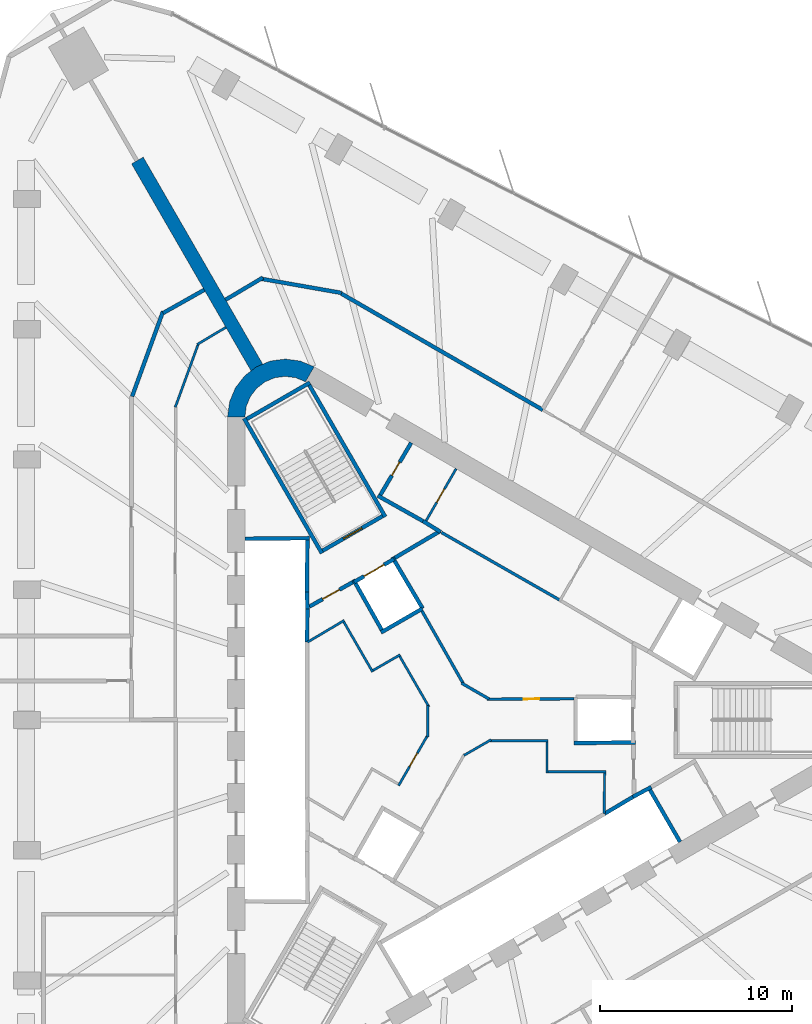
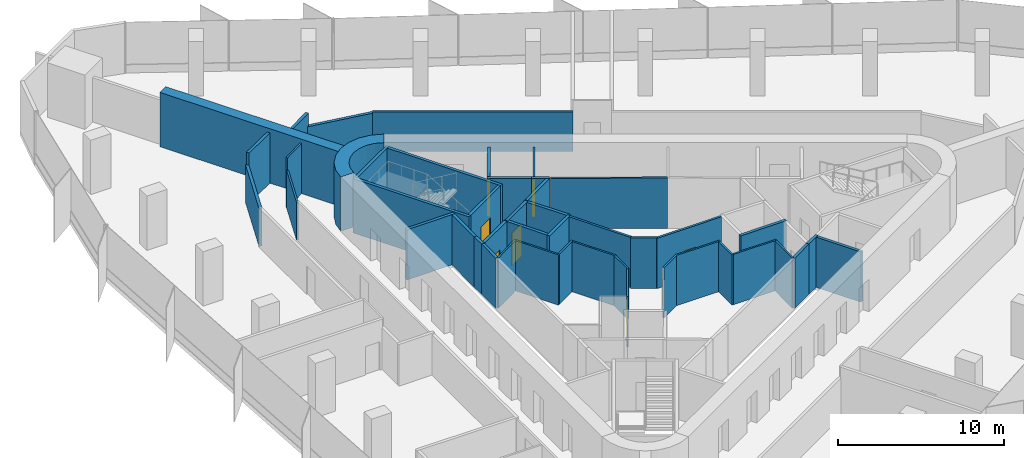
# One storey, part 10 of 13: 46 walls, 7 doors, 7 openings.
"""IFC4 building model written with IfcOpenShell, lengths in metres."""

from ifc_helpers import new_model, si_unit, direction, frame, frame_2d, origin, place, context, subcontext, project, spatial, polyline, rectangle, outline, extrude, material, layer, layer_set, type_object, element, fill, save


model = new_model("IFC4")

# Units and contexts
model_context = context("Model", 3, precision=1e-05, world=origin(), true_north=direction((0.0, 1.0)))
body_context = subcontext(model_context, "Body", "Model", "MODEL_VIEW")
ifc_project = project(units=[si_unit("LENGTHUNIT", "METRE"), si_unit("AREAUNIT", "SQUARE_METRE"), si_unit("VOLUMEUNIT", "CUBIC_METRE"), si_unit("PLANEANGLEUNIT", "RADIAN"), si_unit("MASSUNIT", "GRAM", prefix="KILO")], contexts=[model_context])

# Site, building, storey
site_placement = place(None, origin())
site = spatial("IfcSite", under=ifc_project, at=site_placement, CompositionType="ELEMENT")
building_placement = place(site_placement, origin())
building = spatial("IfcBuilding", under=site, at=building_placement, Name="Tanit Gate Tower", CompositionType="ELEMENT")
storey_placement = place(building_placement, frame((0.0, 0.0, 169.199951171875)))
storey = spatial("IfcBuildingStorey", under=building, at=storey_placement, Name="L36", CompositionType="ELEMENT", Elevation=169.199951171875)

# Walls
ifc_material_1 = material(Name="Concrete C50/60", Category="concrete")
ifc_layer_1 = layer(ifc_material_1, 0.699951171875)
ifc_layer_set_1 = layer_set([ifc_layer_1], Name="BUTTRESS FIN 700 C50/60")
wall_type_1 = type_object("IfcWallType", Name="BUTTRESS FIN 700 C50/60", PredefinedType="SHEAR", material=ifc_layer_set_1)
wall_1_placement = place(storey_placement, frame((-10.574951171875, 18.31640625, 0.0), z_axis=(0.0, 0.0, 1.0), x_axis=(-0.499995558535, 0.86602796805, 0.0)))
element("IfcWall", 1, at=wall_1_placement, inside=storey, type_object=wall_type_1, Name="BUTTRESS FIN", PredefinedType="SHEAR", context=body_context, shape_type="SweptSolid", body=[
    extrude(rectangle(XDim=12.4326171875, YDim=0.699951171875, at=frame_2d((6.21630859375, 0.0))), origin(), (0.0, 0.0, 1.0), 4.0),
])
ifc_material_2 = material(Name="Concrete C50/60", Category="concrete")
ifc_layer_2 = layer(ifc_material_2, 0.89990234375)
ifc_layer_set_2 = layer_set([ifc_layer_2], Name="CORE WALL 900 C50/60")
wall_type_2 = type_object("IfcWallType", Name="CORE WALL 900 C50/60", PredefinedType="SHEAR", material=ifc_layer_set_2)
wall_2_placement = place(storey_placement, origin())
element("IfcWall", 2, at=wall_2_placement, inside=storey, type_object=wall_type_2, Name="CORE WALL CORNER", PredefinedType="SHEAR", context=body_context, shape_type="SweptSolid", body=[
    extrude(outline(polyline([(-7.60009765625, 18.359619140625), (-8.323486328125, 18.659423828125), (-9.10009765625, 18.76171875), (-9.87646484375, 18.659423828125), (-10.60009765625, 18.359619140625), (-11.22119140625, 17.883056640625), (-11.697998046875, 17.26171875), (-11.997802734375, 16.5380859375), (-12.10009765625, 15.76171875), (-11.199951171875, 15.76171875), (-11.12841796875, 16.30517578125), (-10.918701171875, 16.811767578125), (-10.5849609375, 17.24658203125), (-10.14990234375, 17.580322265625), (-9.6435546875, 17.7900390625), (-9.10009765625, 17.86181640625), (-8.556396484375, 17.7900390625), (-8.050048828125, 17.580322265625), (-7.60009765625, 18.359619140625)])), origin(), (0.0, 0.0, 1.0), 4.0),
])
ifc_material_3 = material(Name="Fire-rated gypsum board partition")
ifc_layer_3 = layer(ifc_material_3, 0.199951171875)
ifc_layer_set_3 = layer_set([ifc_layer_3], Name="INT-WALL-COMPARTMENT")
wall_type_3 = type_object("IfcWallType", Name="INT-WALL-COMPARTMENT", PredefinedType="PARTITIONING", material=ifc_layer_set_3)
wall_3_placement = place(storey_placement, frame((-1.940673828125, 10.338623046875, 0.0), z_axis=(0.0, 0.0, 1.0), x_axis=(0.850216889117, -0.526432561171, 0.0)))
element("IfcWall", 3, at=wall_3_placement, inside=storey, type_object=wall_type_3, Name="Wall Compartment W053", PredefinedType="PARTITIONING", context=body_context, shape_type="SweptSolid", body=[
    extrude(rectangle(XDim=1.078369140625, YDim=0.199951171875, at=frame_2d((0.5390625, 0.0))), origin(), (0.0, 0.0, 1.0), 3.699951171875),
])
wall_4_placement = place(storey_placement, frame((-4.296142578125, 11.658935546875, 0.0), z_axis=(0.0, 0.0, 1.0), x_axis=(0.871534483978, -0.490334215854, 0.0)))
element("IfcWall", 4, at=wall_4_placement, inside=storey, type_object=wall_type_3, Name="Wall Compartment W055", PredefinedType="PARTITIONING", context=body_context, shape_type="SweptSolid", body=[
    extrude(rectangle(XDim=2.7001953125, YDim=0.199951171875, at=frame_2d((1.35009765625, 0.0))), origin(), (0.0, 0.0, 1.0), 3.699951171875),
])

# Wall, opening, door
wall_5_placement = place(storey_placement, frame((-2.557861328125, 14.409423828125, 0.0), z_axis=(0.0, 0.0, 1.0), x_axis=(-0.508018930956, -0.861345903683, 0.0)))
wall_5 = element("IfcWall", 5, at=wall_5_placement, inside=storey, type_object=wall_type_3, Name="Wall Compartment W056", PredefinedType="PARTITIONING", context=body_context, shape_type="SweptSolid", body=[
    extrude(rectangle(XDim=3.150146484375, YDim=0.199951171875, at=frame_2d((1.5751953125, 0.0))), origin(), (0.0, 0.0, 1.0), 3.699951171875),
])
opening_1_placement = place(wall_5_placement, frame((1.175048828125, 0.0, 0.0)))
opening_1 = element("IfcOpeningElement", 6, at=opening_1_placement, cuts=wall_5, Name="Opening R08-S09-14", PredefinedType="OPENING", context=body_context, shape_type="SweptSolid", body=[
    extrude(rectangle(XDim=0.800048828125, YDim=2.10009765625, at=frame_2d((0.39990234375, 1.050048828125))), frame((0.0, 0.10986328125, 0.0), z_axis=(0.0, -1.0, 0.0), x_axis=(1.0, 0.0, 0.0)), (0.0, 0.0, 1.0), 0.219970703125),
])
ifc_material_4 = material(Name="Timber door leaf", Category="wood")
door_type_1 = type_object("IfcDoorType", Name="INT-DOOR-RISER-800", OperationType="NOTDEFINED", PredefinedType="USERDEFINED", material=ifc_material_4)
door_1_placement = place(opening_1_placement, origin())
door_1 = element("IfcDoor", 7, at=door_1_placement, inside=storey, type_object=door_type_1, Name="Door R08-S09-14", ObjectType="FIRE DOOR", OperationType="SINGLE_SWING_LEFT", OverallHeight=2.10009765625, OverallWidth=0.800048828125, PredefinedType="USERDEFINED", context=body_context, shape_type="SweptSolid", body=[
    extrude(rectangle(XDim=0.800048828125, YDim=2.10009765625, at=frame_2d((0.39990234375, 1.050048828125))), frame((0.0, 0.02490234375, 0.0), z_axis=(0.0, -1.0, 0.0), x_axis=(1.0, 0.0, 0.0)), (0.0, 0.0, 1.0), 0.050048828125),
])
fill(opening_1, door_1)

# Wall
wall_6_placement = place(storey_placement, frame((-1.0546875, 9.818359375, 0.0), z_axis=(0.0, 0.0, 1.0), x_axis=(-0.860614334655, -0.50925726994, 0.0)))
element("IfcWall", 8, at=wall_6_placement, inside=storey, type_object=wall_type_3, Name="Wall Compartment W061", PredefinedType="PARTITIONING", context=body_context, shape_type="SweptSolid", body=[
    extrude(rectangle(XDim=2.725830078125, YDim=0.199951171875, at=frame_2d((1.36279296875, 0.0))), origin(), (0.0, 0.0, 1.0), 3.699951171875),
])

# Wall, opening, door
wall_7_placement = place(storey_placement, frame((-5.600341796875, 7.16015625, 0.0), z_axis=(0.0, 0.0, 1.0), x_axis=(-0.871363259478, -0.490638431059, 0.0)))
wall_7 = element("IfcWall", 9, at=wall_7_placement, inside=storey, type_object=wall_type_3, Name="Wall Compartment W062", PredefinedType="PARTITIONING", context=body_context, shape_type="SweptSolid", body=[
    extrude(rectangle(XDim=2.5810546875, YDim=0.199951171875, at=frame_2d((1.29052734375, 0.0))), origin(), (0.0, 0.0, 1.0), 3.699951171875),
])
opening_2_placement = place(wall_7_placement, frame((0.79052734375, 0.0, 0.0)))
opening_2 = element("IfcOpeningElement", 10, at=opening_2_placement, cuts=wall_7, Name="Opening F10-S09-05", PredefinedType="OPENING", context=body_context, shape_type="SweptSolid", body=[
    extrude(rectangle(XDim=1.0, YDim=2.10009765625, at=frame_2d((0.5, 1.050048828125))), frame((0.0, 0.10986328125, 0.0), z_axis=(0.0, -1.0, 0.0), x_axis=(1.0, 0.0, 0.0)), (0.0, 0.0, 1.0), 0.219970703125),
])
ifc_material_5 = material(Name="Fire-rated steel door leaf", Category="steel")
door_type_2 = type_object("IfcDoorType", Name="INT-DOOR-FIRE-1000", OperationType="NOTDEFINED", PredefinedType="USERDEFINED", material=ifc_material_5)
door_2_placement = place(opening_2_placement, origin())
door_2 = element("IfcDoor", 11, at=door_2_placement, inside=storey, type_object=door_type_2, Name="Door F10-S09-05", ObjectType="FIRE DOOR", OperationType="SINGLE_SWING_LEFT", OverallHeight=2.10009765625, OverallWidth=1.0, PredefinedType="USERDEFINED", context=body_context, shape_type="SweptSolid", body=[
    extrude(rectangle(XDim=1.0, YDim=2.10009765625, at=frame_2d((0.5, 1.050048828125))), frame((0.0, 0.02490234375, 0.0), z_axis=(0.0, -1.0, 0.0), x_axis=(1.0, 0.0, 0.0)), (0.0, 0.0, 1.0), 0.050048828125),
])
fill(opening_2, door_2)

# Walls
wall_8_placement = place(storey_placement, frame((-15.456298828125, 21.238525390625, 0.0), z_axis=(0.0, 0.0, 1.0), x_axis=(-0.34205546997, -0.939679762187, 0.0)))
element("IfcWall", 12, at=wall_8_placement, inside=storey, type_object=wall_type_3, Name="Wall Compartment W090", PredefinedType="PARTITIONING", context=body_context, shape_type="SweptSolid", body=[
    extrude(rectangle(XDim=4.705810546875, YDim=0.199951171875, at=frame_2d((2.35302734375, 0.0))), origin(), (0.0, 0.0, 1.0), 2.780029296875),
])
wall_9_placement = place(storey_placement, frame((-13.31298828125, 22.35888671875, 0.0), z_axis=(0.0, 0.0, 1.0), x_axis=(-0.87121710687, -0.490897904555, 0.0)))
element("IfcWall", 13, at=wall_9_placement, inside=storey, type_object=wall_type_3, Name="Wall Compartment W091", PredefinedType="PARTITIONING", context=body_context, shape_type="SweptSolid", body=[
    extrude(rectangle(XDim=2.457275390625, YDim=0.199951171875, at=frame_2d((1.228515625, 0.0))), origin(), (0.0, 0.0, 1.0), 3.699951171875),
])
wall_10_placement = place(storey_placement, frame((-10.26513671875, 22.995849609375, 0.0), z_axis=(0.0, 0.0, 1.0), x_axis=(-0.859934823121, -0.510403859687, 0.0)))
element("IfcWall", 14, at=wall_10_placement, inside=storey, type_object=wall_type_3, Name="Wall Compartment W098", PredefinedType="PARTITIONING", context=body_context, shape_type="SweptSolid", body=[
    extrude(rectangle(XDim=2.25830078125, YDim=0.199951171875, at=frame_2d((1.129150390625, 0.0))), origin(), (0.0, 0.0, 1.0), 3.699951171875),
])
wall_11_placement = place(storey_placement, frame((-6.18115234375, 22.19873046875, 0.0), z_axis=(0.0, 0.0, 1.0), x_axis=(-0.984807544765, 0.17364935869, 0.0)))
element("IfcWall", 15, at=wall_11_placement, inside=storey, type_object=wall_type_3, Name="Wall Compartment W099", PredefinedType="PARTITIONING", context=body_context, shape_type="SweptSolid", body=[
    extrude(rectangle(XDim=4.199462890625, YDim=0.199951171875, at=frame_2d((2.099609375, 0.0))), origin(), (0.0, 0.0, 1.0), 2.780029296875),
])
wall_12_placement = place(storey_placement, frame((4.28271484375, 16.117919921875, 0.0), z_axis=(0.0, 0.0, 1.0), x_axis=(-0.866016186489, 0.500015964484, 0.0)))
element("IfcWall", 16, at=wall_12_placement, inside=storey, type_object=wall_type_3, Name="Wall Compartment W100", PredefinedType="PARTITIONING", context=body_context, shape_type="SweptSolid", body=[
    extrude(rectangle(XDim=12.09619140625, YDim=0.199951171875, at=frame_2d((6.048095703125, 0.0))), origin(), (0.0, 0.0, 1.0), 2.880126953125),
])

# Wall, opening, door
ifc_material_6 = material(Name="Gypsum board partition")
ifc_layer_4 = layer(ifc_material_6, 0.1201171875)
ifc_layer_set_4 = layer_set([ifc_layer_4], Name="INT-WALL-PARTITION")
wall_type_4 = type_object("IfcWallType", Name="INT-WALL-PARTITION", PredefinedType="PARTITIONING", material=ifc_layer_set_4)
wall_13_placement = place(storey_placement, frame((-0.2197265625, 13.0595703125, 0.0), z_axis=(0.0, 0.0, 1.0), x_axis=(-0.499984717929, -0.866034226713, 0.0)))
wall_13 = element("IfcWall", 17, at=wall_13_placement, inside=storey, type_object=wall_type_4, Name="Wall Partition W052", PredefinedType="PARTITIONING", context=body_context, shape_type="SweptSolid", body=[
    extrude(rectangle(XDim=3.25, YDim=0.1201171875, at=frame_2d((1.625, 0.0))), origin(), (0.0, 0.0, 1.0), 3.699951171875),
])
opening_3_placement = place(wall_13_placement, frame((1.22509765625, 0.0, 0.0)))
opening_3 = element("IfcOpeningElement", 18, at=opening_3_placement, cuts=wall_13, Name="Opening R08-S09-30", PredefinedType="OPENING", context=body_context, shape_type="SweptSolid", body=[
    extrude(rectangle(XDim=0.800048828125, YDim=2.10009765625, at=frame_2d((0.39990234375, 1.050048828125))), frame((0.0, 0.070068359375, 0.0), z_axis=(0.0, -1.0, 0.0), x_axis=(1.0, 0.0, 0.0)), (0.0, 0.0, 1.0), 0.14013671875),
])
door_3_placement = place(opening_3_placement, origin())
door_3 = element("IfcDoor", 19, at=door_3_placement, inside=storey, type_object=door_type_1, Name="Door R08-S09-30", ObjectType="FIRE DOOR", OperationType="SINGLE_SWING_LEFT", OverallHeight=2.10009765625, OverallWidth=0.800048828125, PredefinedType="USERDEFINED", context=body_context, shape_type="SweptSolid", body=[
    extrude(rectangle(XDim=0.800048828125, YDim=2.10009765625, at=frame_2d((0.39990234375, 1.050048828125))), frame((0.0, 0.02490234375, 0.0), z_axis=(0.0, -1.0, 0.0), x_axis=(1.0, 0.0, 0.0)), (0.0, 0.0, 1.0), 0.050048828125),
])
fill(opening_3, door_3)

# Walls
wall_14_placement = place(storey_placement, frame((1.60546875, -1.02294921875, 0.0), z_axis=(0.0, 0.0, 1.0), x_axis=(-0.866001581989, -0.50004125829, 0.0)))
element("IfcWall", 20, at=wall_14_placement, inside=storey, type_object=wall_type_4, Name="Wall Partition W069", PredefinedType="PARTITIONING", context=body_context, shape_type="SweptSolid", body=[
    extrude(rectangle(XDim=1.635009765625, YDim=0.1201171875, at=frame_2d((0.8173828125, 0.0))), origin(), (0.0, 0.0, 1.0), 3.699951171875),
])
wall_15_placement = place(storey_placement, frame((4.56005859375, -1.074951171875, 0.0), z_axis=(0.0, 0.0, 1.0), x_axis=(-1.0, 0.0, 0.0)))
element("IfcWall", 21, at=wall_15_placement, inside=storey, type_object=wall_type_4, Name="Wall Partition W070", PredefinedType="PARTITIONING", context=body_context, shape_type="SweptSolid", body=[
    extrude(rectangle(XDim=3.02587890625, YDim=0.1201171875, at=frame_2d((1.512939453125, 0.0))), origin(), (0.0, 0.0, 1.0), 3.699951171875),
])
wall_16_placement = place(storey_placement, frame((4.5, -2.760009765625, 0.0), z_axis=(0.0, 0.0, 1.0), x_axis=(0.0, 1.0, 0.0)))
element("IfcWall", 22, at=wall_16_placement, inside=storey, type_object=wall_type_4, Name="Wall Partition W071", PredefinedType="PARTITIONING", context=body_context, shape_type="SweptSolid", body=[
    extrude(rectangle(XDim=1.625, YDim=0.1201171875, at=frame_2d((0.8125, 0.0))), origin(), (0.0, 0.0, 1.0), 3.699951171875),
])
wall_17_placement = place(storey_placement, frame((7.56005859375, -2.699951171875, 0.0), z_axis=(0.0, 0.0, 1.0), x_axis=(-1.0, 0.0, 0.0)))
element("IfcWall", 23, at=wall_17_placement, inside=storey, type_object=wall_type_4, Name="Wall Partition W072", PredefinedType="PARTITIONING", context=body_context, shape_type="SweptSolid", body=[
    extrude(rectangle(XDim=3.0, YDim=0.1201171875, at=frame_2d((1.5, 0.0))), origin(), (0.0, 0.0, 1.0), 3.699951171875),
])
wall_18_placement = place(storey_placement, frame((7.474609375, -4.864501953125, 0.0), z_axis=(0.0, 0.0, 1.0), x_axis=(0.011716133148, 0.999931363757, 0.0)))
element("IfcWall", 24, at=wall_18_placement, inside=storey, type_object=wall_type_4, Name="Wall Partition W073", PredefinedType="PARTITIONING", context=body_context, shape_type="SweptSolid", body=[
    extrude(rectangle(XDim=2.104736328125, YDim=0.1201171875, at=frame_2d((1.05224609375, 0.0))), origin(), (0.0, 0.0, 1.0), 3.699951171875),
])
wall_19_placement = place(storey_placement, frame((-6.03662109375, 5.17578125, 0.0), z_axis=(0.0, 0.0, 1.0), x_axis=(-0.860106072674, -0.510115225953, 0.0)))
element("IfcWall", 25, at=wall_19_placement, inside=storey, type_object=wall_type_4, Name="Wall Partition W074", PredefinedType="PARTITIONING", context=body_context, shape_type="SweptSolid", body=[
    extrude(rectangle(XDim=2.224609375, YDim=0.1201171875, at=frame_2d((1.1123046875, 0.0))), origin(), (0.0, 0.0, 1.0), 3.699951171875),
])
wall_20_placement = place(storey_placement, frame((-4.558349609375, 2.4951171875, 0.0), z_axis=(0.0, 0.0, 1.0), x_axis=(-0.499990139034, 0.866031096941, 0.0)))
element("IfcWall", 26, at=wall_20_placement, inside=storey, type_object=wall_type_4, Name="Wall Partition W075", PredefinedType="PARTITIONING", context=body_context, shape_type="SweptSolid", body=[
    extrude(rectangle(XDim=3.0, YDim=0.1201171875, at=frame_2d((1.5, 0.0))), origin(), (0.0, 0.0, 1.0), 3.699951171875),
])
wall_21_placement = place(storey_placement, frame((-3.12890625, 3.3896484375, 0.0), z_axis=(0.0, 0.0, 1.0), x_axis=(-0.866053003207, -0.499952193351, 0.0)))
element("IfcWall", 27, at=wall_21_placement, inside=storey, type_object=wall_type_4, Name="Wall Partition W076", PredefinedType="PARTITIONING", context=body_context, shape_type="SweptSolid", body=[
    extrude(rectangle(XDim=1.625244140625, YDim=0.1201171875, at=frame_2d((0.8125, 0.0))), origin(), (0.0, 0.0, 1.0), 3.699951171875),
])
wall_22_placement = place(storey_placement, frame((-1.63671875, 0.68505859375, 0.0), z_axis=(0.0, 0.0, 1.0), x_axis=(-0.500006252586, 0.866021793822, 0.0)))
element("IfcWall", 28, at=wall_22_placement, inside=storey, type_object=wall_type_4, Name="Wall Partition W077", PredefinedType="PARTITIONING", context=body_context, shape_type="SweptSolid", body=[
    extrude(rectangle(XDim=3.0283203125, YDim=0.1201171875, at=frame_2d((1.51416015625, 0.0))), origin(), (0.0, 0.0, 1.0), 3.699951171875),
])
wall_23_placement = place(storey_placement, frame((-1.688720703125, -0.87890625, 0.0), z_axis=(0.0, 0.0, 1.0), x_axis=(0.0, 1.0, 0.0)))
element("IfcWall", 29, at=wall_23_placement, inside=storey, type_object=wall_type_4, Name="Wall Partition W078", PredefinedType="PARTITIONING", context=body_context, shape_type="SweptSolid", body=[
    extrude(rectangle(XDim=1.63525390625, YDim=0.1201171875, at=frame_2d((0.817626953125, 0.0))), origin(), (0.0, 0.0, 1.0), 3.699951171875),
])

# Wall, opening, door
wall_24_placement = place(storey_placement, frame((-3.2109375, -3.41162109375, 0.0), z_axis=(0.0, 0.0, 1.0), x_axis=(0.499983190554, 0.866035108505, 0.0)))
wall_24 = element("IfcWall", 30, at=wall_24_placement, inside=storey, type_object=wall_type_4, Name="Wall Partition W079", PredefinedType="PARTITIONING", context=body_context, shape_type="SweptSolid", body=[
    extrude(rectangle(XDim=3.02587890625, YDim=0.1201171875, at=frame_2d((1.512939453125, 0.0))), origin(), (0.0, 0.0, 1.0), 3.699951171875),
])
opening_4_placement = place(wall_24_placement, frame((1.142822265625, 0.0, 0.0)))
opening_4 = element("IfcOpeningElement", 31, at=opening_4_placement, cuts=wall_24, Name="Opening R08-S09-12", PredefinedType="OPENING", context=body_context, shape_type="SweptSolid", body=[
    extrude(rectangle(XDim=0.800048828125, YDim=2.10009765625, at=frame_2d((0.39990234375, 1.050048828125))), frame((0.0, 0.070068359375, 0.0), z_axis=(0.0, -1.0, 0.0), x_axis=(1.0, 0.0, 0.0)), (0.0, 0.0, 1.0), 0.14013671875),
])
door_4_placement = place(opening_4_placement, origin())
door_4 = element("IfcDoor", 32, at=door_4_placement, inside=storey, type_object=door_type_1, Name="Door R08-S09-12", ObjectType="FIRE DOOR", OperationType="SINGLE_SWING_LEFT", OverallHeight=2.10009765625, OverallWidth=0.800048828125, PredefinedType="USERDEFINED", context=body_context, shape_type="SweptSolid", body=[
    extrude(rectangle(XDim=0.800048828125, YDim=2.10009765625, at=frame_2d((0.39990234375, 1.050048828125))), frame((0.0, 0.02490234375, 0.0), z_axis=(0.0, -1.0, 0.0), x_axis=(1.0, 0.0, 0.0)), (0.0, 0.0, 1.0), 0.050048828125),
])
fill(opening_4, door_4)

# Walls
wall_25_placement = place(storey_placement, frame((-12.188720703125, 20.411376953125, 0.0), z_axis=(0.0, 0.0, 1.0), x_axis=(-0.858492721014, -0.51282574815, 0.0)))
element("IfcWall", 33, at=wall_25_placement, inside=storey, type_object=wall_type_4, Name="Wall Partition W083", PredefinedType="PARTITIONING", context=body_context, shape_type="SweptSolid", body=[
    extrude(rectangle(XDim=1.742431640625, YDim=0.1201171875, at=frame_2d((0.87109375, 0.0))), origin(), (0.0, 0.0, 1.0), 3.699951171875),
])
wall_26_placement = place(storey_placement, frame((-13.630615234375, 19.529541015625, 0.0), z_axis=(0.0, 0.0, 1.0), x_axis=(-0.342069878069, -0.939674517329, 0.0)))
element("IfcWall", 34, at=wall_26_placement, inside=storey, type_object=wall_type_4, Name="Wall Partition W084", PredefinedType="PARTITIONING", context=body_context, shape_type="SweptSolid", body=[
    extrude(rectangle(XDim=3.478759765625, YDim=0.1201171875, at=frame_2d((1.7392578125, 0.0))), origin(), (0.0, 0.0, 1.0), 2.780029296875),
])
ifc_material_7 = material(Name="Fire-rated gypsum board partition")
ifc_layer_5 = layer(ifc_material_7, 0.14990234375)
ifc_layer_set_5 = layer_set([ifc_layer_5], Name="INT-WALL-RISER")
wall_type_5 = type_object("IfcWallType", Name="INT-WALL-RISER", PredefinedType="PLUMBINGWALL", material=ifc_layer_set_5)
wall_27_placement = place(storey_placement, frame((5.1591796875, 6.23583984375, 0.0), z_axis=(0.0, 0.0, 1.0), x_axis=(-0.868105023632, 0.496380567654, 0.0)))
element("IfcWall", 35, at=wall_27_placement, inside=storey, type_object=wall_type_5, Name="Wall Riser W054", PredefinedType="PLUMBINGWALL", context=body_context, shape_type="SweptSolid", body=[
    extrude(rectangle(XDim=7.072265625, YDim=0.14990234375, at=frame_2d((3.5361328125, 0.0))), origin(), (0.0, 0.0, 1.0), 3.699951171875),
])

# Wall, opening, door
wall_28_placement = place(storey_placement, frame((1.3876953125, 1.07421875, 0.0), z_axis=(0.0, 0.0, 1.0), x_axis=(0.99997856967, 0.006546770205, 0.0)))
wall_28 = element("IfcWall", 36, at=wall_28_placement, inside=storey, type_object=wall_type_5, Name="Wall Riser W065", PredefinedType="PLUMBINGWALL", context=body_context, shape_type="SweptSolid", body=[
    extrude(rectangle(XDim=4.51220703125, YDim=0.14990234375, at=frame_2d((2.256103515625, 0.0))), origin(), (0.0, 0.0, 1.0), 3.699951171875),
])
opening_5_placement = place(wall_28_placement, frame((1.920166015625, 0.0, 0.0)))
opening_5 = element("IfcOpeningElement", 37, at=opening_5_placement, cuts=wall_28, Name="Opening R08-S09-10", PredefinedType="OPENING", context=body_context, shape_type="SweptSolid", body=[
    extrude(rectangle(XDim=0.800048828125, YDim=2.10009765625, at=frame_2d((0.39990234375, 1.050048828125))), frame((0.0, 0.0849609375, 0.0), z_axis=(0.0, -1.0, 0.0), x_axis=(1.0, 0.0, 0.0)), (0.0, 0.0, 1.0), 0.169921875),
])
door_5_placement = place(opening_5_placement, origin())
door_5 = element("IfcDoor", 38, at=door_5_placement, inside=storey, type_object=door_type_1, Name="Door R08-S09-10", ObjectType="FIRE DOOR", OperationType="SINGLE_SWING_RIGHT", OverallHeight=2.10009765625, OverallWidth=0.800048828125, PredefinedType="USERDEFINED", context=body_context, shape_type="SweptSolid", body=[
    extrude(rectangle(XDim=0.800048828125, YDim=2.10009765625, at=frame_2d((0.39990234375, 1.050048828125))), frame((0.0, 0.02490234375, 0.0), z_axis=(0.0, -1.0, 0.0), x_axis=(1.0, 0.0, 0.0)), (0.0, 0.0, 1.0), 0.050048828125),
])
fill(opening_5, door_5)

# Walls
wall_29_placement = place(storey_placement, frame((0.0625, 1.9140625, 0.0), z_axis=(0.0, 0.0, 1.0), x_axis=(0.866018462269, -0.500012022864, 0.0)))
element("IfcWall", 39, at=wall_29_placement, inside=storey, type_object=wall_type_5, Name="Wall Riser W066", PredefinedType="PLUMBINGWALL", context=body_context, shape_type="SweptSolid", body=[
    extrude(rectangle(XDim=1.654296875, YDim=0.14990234375, at=frame_2d((0.8271484375, 0.0))), origin(), (0.0, 0.0, 1.0), 3.699951171875),
])
wall_30_placement = place(storey_placement, frame((-1.994140625, 5.661376953125, 0.0), z_axis=(0.0, 0.0, 1.0), x_axis=(0.494341211302, -0.869267948798, 0.0)))
element("IfcWall", 40, at=wall_30_placement, inside=storey, type_object=wall_type_5, Name="Wall Riser W067", PredefinedType="PLUMBINGWALL", context=body_context, shape_type="SweptSolid", body=[
    extrude(rectangle(XDim=4.36083984375, YDim=0.14990234375, at=frame_2d((2.180419921875, 0.0))), origin(), (0.0, 0.0, 1.0), 3.699951171875),
])
ifc_material_8 = material(Name="Gypsum shaft wall system")
ifc_layer_6 = layer(ifc_material_8, 0.199951171875)
ifc_layer_set_6 = layer_set([ifc_layer_6], Name="INT-WALL-SHAFT")
wall_type_6 = type_object("IfcWallType", Name="INT-WALL-SHAFT", PredefinedType="PLUMBINGWALL", material=ifc_layer_set_6)
wall_31_placement = place(storey_placement, frame((-11.199951171875, 9.419921875, 0.0), z_axis=(0.0, 0.0, 1.0), x_axis=(0.999957167047, 0.009255488683, 0.0)))
element("IfcWall", 41, at=wall_31_placement, inside=storey, type_object=wall_type_6, Name="Wall Shaft W001", PredefinedType="PLUMBINGWALL", context=body_context, shape_type="SweptSolid", body=[
    extrude(rectangle(XDim=3.35009765625, YDim=0.199951171875, at=frame_2d((1.675048828125, 0.0))), origin(), (0.0, 0.0, 1.0), 3.699951171875),
])
wall_32_placement = place(storey_placement, frame((-7.951171875, 9.35009765625, 0.0), z_axis=(0.0, 0.0, 1.0), x_axis=(-0.011120469654, -0.999938165666, 0.0)))
element("IfcWall", 42, at=wall_32_placement, inside=storey, type_object=wall_type_6, Name="Wall Shaft W002", PredefinedType="PLUMBINGWALL", context=body_context, shape_type="SweptSolid", body=[
    extrude(rectangle(XDim=2.700439453125, YDim=0.199951171875, at=frame_2d((1.35009765625, 0.0))), origin(), (0.0, 0.0, 1.0), 3.699951171875),
])
wall_33_placement = place(storey_placement, frame((-7.97705078125, 6.650146484375, 0.0), z_axis=(0.0, 0.0, 1.0), x_axis=(0.030861509705, -0.999523670164, 0.0)))
element("IfcWall", 43, at=wall_33_placement, inside=storey, type_object=wall_type_6, Name="Wall Shaft W003", PredefinedType="PLUMBINGWALL", context=body_context, shape_type="SweptSolid", body=[
    extrude(rectangle(XDim=0.878173828125, YDim=0.199951171875, at=frame_2d((0.43896484375, 0.0))), origin(), (0.0, 0.0, 1.0), 3.699951171875),
])
wall_34_placement = place(storey_placement, frame((-7.94921875, 5.894775390625, 0.0), z_axis=(0.0, 0.0, 1.0), x_axis=(-0.012042535896, -0.999927486035, 0.0)))
element("IfcWall", 44, at=wall_34_placement, inside=storey, type_object=wall_type_6, Name="Wall Shaft W004", PredefinedType="PLUMBINGWALL", context=body_context, shape_type="SweptSolid", body=[
    extrude(rectangle(XDim=1.844970703125, YDim=0.199951171875, at=frame_2d((0.92236328125, 0.0))), origin(), (0.0, 0.0, 1.0), 3.699951171875),
])
wall_35_placement = place(storey_placement, frame((9.794677734375, -3.52490234375, 0.0), z_axis=(0.0, 0.0, 1.0), x_axis=(0.499984717929, -0.866034226713, 0.0)))
element("IfcWall", 45, at=wall_35_placement, inside=storey, type_object=wall_type_6, Name="Wall Shaft W016", PredefinedType="PLUMBINGWALL", context=body_context, shape_type="SweptSolid", body=[
    extrude(rectangle(XDim=3.25, YDim=0.199951171875, at=frame_2d((1.625, 0.0))), origin(), (0.0, 0.0, 1.0), 3.699951171875),
])
wall_36_placement = place(storey_placement, frame((8.97412109375, -3.998779296875, 0.0), z_axis=(0.0, 0.0, 1.0), x_axis=(0.880907015104, 0.473289373154, 0.0)))
element("IfcWall", 46, at=wall_36_placement, inside=storey, type_object=wall_type_6, Name="Wall Shaft W017", PredefinedType="PLUMBINGWALL", context=body_context, shape_type="SweptSolid", body=[
    extrude(rectangle(XDim=1.078125, YDim=0.199951171875, at=frame_2d((0.5390625, 0.0))), origin(), (0.0, 0.0, 1.0), 3.699951171875),
])
wall_37_placement = place(storey_placement, frame((7.4931640625, -4.87841796875, 0.0), z_axis=(0.0, 0.0, 1.0), x_axis=(0.859981807212, 0.510324691999, 0.0)))
element("IfcWall", 47, at=wall_37_placement, inside=storey, type_object=wall_type_6, Name="Wall Shaft W018", PredefinedType="PLUMBINGWALL", context=body_context, shape_type="SweptSolid", body=[
    extrude(rectangle(XDim=1.8447265625, YDim=0.199951171875, at=frame_2d((0.92236328125, 0.0))), origin(), (0.0, 0.0, 1.0), 3.699951171875),
])
wall_38_placement = place(storey_placement, frame((5.89990234375, -1.200927734375, 0.0), z_axis=(0.0, 0.0, 1.0), x_axis=(0.999950064753, 0.009993397809, 0.0)))
element("IfcWall", 48, at=wall_38_placement, inside=storey, type_object=wall_type_6, Name="Wall Shaft W031", PredefinedType="PLUMBINGWALL", context=body_context, shape_type="SweptSolid", body=[
    extrude(rectangle(XDim=3.200439453125, YDim=0.199951171875, at=frame_2d((1.60009765625, 0.0))), origin(), (0.0, 0.0, 1.0), 3.699951171875),
])

# Wall, opening, door
wall_39_placement = place(storey_placement, frame((-5.524169921875, 7.168212890625, 0.0), z_axis=(0.0, 0.0, 1.0), x_axis=(0.866024647952, 0.500001309137, 0.0)))
wall_39 = element("IfcWall", 49, at=wall_39_placement, inside=storey, type_object=wall_type_6, Name="Wall Shaft W037", PredefinedType="PLUMBINGWALL", context=body_context, shape_type="SweptSolid", body=[
    extrude(rectangle(XDim=2.39990234375, YDim=0.199951171875, at=frame_2d((1.199951171875, 0.0))), origin(), (0.0, 0.0, 1.0), 3.699951171875),
])
opening_6_placement = place(wall_39_placement, frame((0.60009765625, 0.0, 0.0)))
opening_6 = element("IfcOpeningElement", 50, at=opening_6_placement, cuts=wall_39, Name="Opening LDFL2-L36", PredefinedType="OPENING", context=body_context, shape_type="SweptSolid", body=[
    extrude(rectangle(XDim=1.199951171875, YDim=2.39990234375, at=frame_2d((0.60009765625, 1.199951171875))), frame((0.0, 0.10986328125, 0.0), z_axis=(0.0, -1.0, 0.0), x_axis=(1.0, 0.0, 0.0)), (0.0, 0.0, 1.0), 0.219970703125),
])
ifc_material_9 = material(Name="Stainless steel sliding door leaf", Category="steel")
door_type_3 = type_object("IfcDoorType", Name="INT-DOOR-LANDING-1200", OperationType="NOTDEFINED", PredefinedType="USERDEFINED", material=ifc_material_9)
door_6_placement = place(opening_6_placement, origin())
door_6 = element("IfcDoor", 51, at=door_6_placement, inside=storey, type_object=door_type_3, Name="Door LDFL2-L36", ObjectType="LANDING DOOR", OperationType="SLIDING_TO_LEFT", OverallHeight=2.39990234375, OverallWidth=1.199951171875, PredefinedType="USERDEFINED", context=body_context, shape_type="SweptSolid", body=[
    extrude(rectangle(XDim=1.199951171875, YDim=2.39990234375, at=frame_2d((0.60009765625, 1.199951171875))), frame((0.0, 0.02490234375, 0.0), z_axis=(0.0, -1.0, 0.0), x_axis=(1.0, 0.0, 0.0)), (0.0, 0.0, 1.0), 0.050048828125),
])
fill(opening_6, door_6)

# Walls
wall_40_placement = place(storey_placement, frame((-3.53759765625, 8.46533203125, 0.0), z_axis=(0.0, 0.0, 1.0), x_axis=(0.508647062354, -0.860975125052, 0.0)))
element("IfcWall", 52, at=wall_40_placement, inside=storey, type_object=wall_type_6, Name="Wall Shaft W038", PredefinedType="PLUMBINGWALL", context=body_context, shape_type="SweptSolid", body=[
    extrude(rectangle(XDim=3.10009765625, YDim=0.199951171875, at=frame_2d((1.550048828125, 0.0))), origin(), (0.0, 0.0, 1.0), 3.699951171875),
])
wall_41_placement = place(storey_placement, frame((-1.978515625, 5.785888671875, 0.0), z_axis=(0.0, 0.0, 1.0), x_axis=(-0.866016689309, -0.500015093611, 0.0)))
element("IfcWall", 53, at=wall_41_placement, inside=storey, type_object=wall_type_6, Name="Wall Shaft W039", PredefinedType="PLUMBINGWALL", context=body_context, shape_type="SweptSolid", body=[
    extrude(rectangle(XDim=2.4794921875, YDim=0.199951171875, at=frame_2d((1.23974609375, 0.0))), origin(), (0.0, 0.0, 1.0), 3.699951171875),
])
wall_42_placement = place(storey_placement, frame((-5.5625, 7.29638671875, 0.0), z_axis=(0.0, 0.0, 1.0), x_axis=(0.49134651263, -0.870964180966, 0.0)))
element("IfcWall", 54, at=wall_42_placement, inside=storey, type_object=wall_type_6, Name="Wall Shaft W040", PredefinedType="PLUMBINGWALL", context=body_context, shape_type="SweptSolid", body=[
    extrude(rectangle(XDim=3.000244140625, YDim=0.199951171875, at=frame_2d((1.5, 0.0))), origin(), (0.0, 0.0, 1.0), 3.699951171875),
])
ifc_material_10 = material(Name="Concrete C40/50", Category="concrete")
ifc_layer_7 = layer(ifc_material_10, 0.199951171875)
ifc_layer_set_7 = layer_set([ifc_layer_7], Name="INT-WALL-STAIR")
wall_type_7 = type_object("IfcWallType", Name="INT-WALL-STAIR", PredefinedType="SHEAR", material=ifc_layer_set_7)
wall_43_placement = place(storey_placement, frame((-11.245361328125, 15.677734375, -0.300048828125), z_axis=(0.0, 0.0, 1.0), x_axis=(0.499977274689, -0.866038523851, 0.0)))
element("IfcWall", 55, at=wall_43_placement, inside=storey, type_object=wall_type_7, Name="Wall Stair W033", PredefinedType="SHEAR", context=body_context, shape_type="SweptSolid", body=[
    extrude(rectangle(XDim=8.10009765625, YDim=0.199951171875, at=frame_2d((4.050048828125, 0.0))), origin(), (0.0, 0.0, 1.0), 4.0),
])
wall_44_placement = place(storey_placement, frame((-7.81787109375, 17.541015625, -0.300048828125), z_axis=(0.0, 0.0, 1.0), x_axis=(-0.866044365799, -0.499967155389, 0.0)))
element("IfcWall", 56, at=wall_44_placement, inside=storey, type_object=wall_type_7, Name="Wall Stair W034", PredefinedType="SHEAR", context=body_context, shape_type="SweptSolid", body=[
    extrude(rectangle(XDim=3.800048828125, YDim=0.199951171875, at=frame_2d((1.89990234375, 0.0))), origin(), (0.0, 0.0, 1.0), 4.0),
])
wall_45_placement = place(storey_placement, frame((-7.8544921875, 17.404541015625, -0.300048828125), z_axis=(0.0, 0.0, 1.0), x_axis=(0.499997992926, -0.866026562566, 0.0)))
element("IfcWall", 57, at=wall_45_placement, inside=storey, type_object=wall_type_7, Name="Wall Stair W035", PredefinedType="SHEAR", context=body_context, shape_type="SweptSolid", body=[
    extrude(rectangle(XDim=7.89990234375, YDim=0.199951171875, at=frame_2d((3.949951171875, 0.0))), origin(), (0.0, 0.0, 1.0), 4.0),
])

# Wall, opening, door
wall_46_placement = place(storey_placement, frame((-7.158935546875, 8.799560546875, -0.300048828125), z_axis=(0.0, 0.0, 1.0), x_axis=(0.866047807691, 0.499961193289, 0.0)))
wall_46 = element("IfcWall", 58, at=wall_46_placement, inside=storey, type_object=wall_type_7, Name="Wall Stair W036", PredefinedType="SHEAR", context=body_context, shape_type="SweptSolid", body=[
    extrude(rectangle(XDim=3.599853515625, YDim=0.199951171875, at=frame_2d((1.7998046875, 0.0))), origin(), (0.0, 0.0, 1.0), 4.0),
])
opening_7_placement = place(wall_46_placement, frame((1.25, 0.0, 0.300048828125)))
opening_7 = element("IfcOpeningElement", 59, at=opening_7_placement, cuts=wall_46, Name="Opening S11-S09-04", PredefinedType="OPENING", context=body_context, shape_type="SweptSolid", body=[
    extrude(rectangle(XDim=1.10009765625, YDim=2.10009765625, at=frame_2d((0.550048828125, 1.050048828125))), frame((0.0, 0.10986328125, 0.0), z_axis=(0.0, -1.0, 0.0), x_axis=(1.0, 0.0, 0.0)), (0.0, 0.0, 1.0), 0.219970703125),
])
ifc_material_11 = material(Name="Timber door leaf", Category="wood")
door_type_4 = type_object("IfcDoorType", Name="INT-DOOR-STAIR-1100", OperationType="NOTDEFINED", PredefinedType="USERDEFINED", material=ifc_material_11)
door_7_placement = place(opening_7_placement, origin())
door_7 = element("IfcDoor", 60, at=door_7_placement, inside=storey, type_object=door_type_4, Name="Door S11-S09-04", ObjectType="FIRE DOOR", OperationType="SINGLE_SWING_LEFT", OverallHeight=2.10009765625, OverallWidth=1.10009765625, PredefinedType="USERDEFINED", context=body_context, shape_type="SweptSolid", body=[
    extrude(rectangle(XDim=1.10009765625, YDim=2.10009765625, at=frame_2d((0.550048828125, 1.050048828125))), frame((0.0, 0.02490234375, 0.0), z_axis=(0.0, -1.0, 0.0), x_axis=(1.0, 0.0, 0.0)), (0.0, 0.0, 1.0), 0.050048828125),
])
fill(opening_7, door_7)

save(model, "model.ifc")
